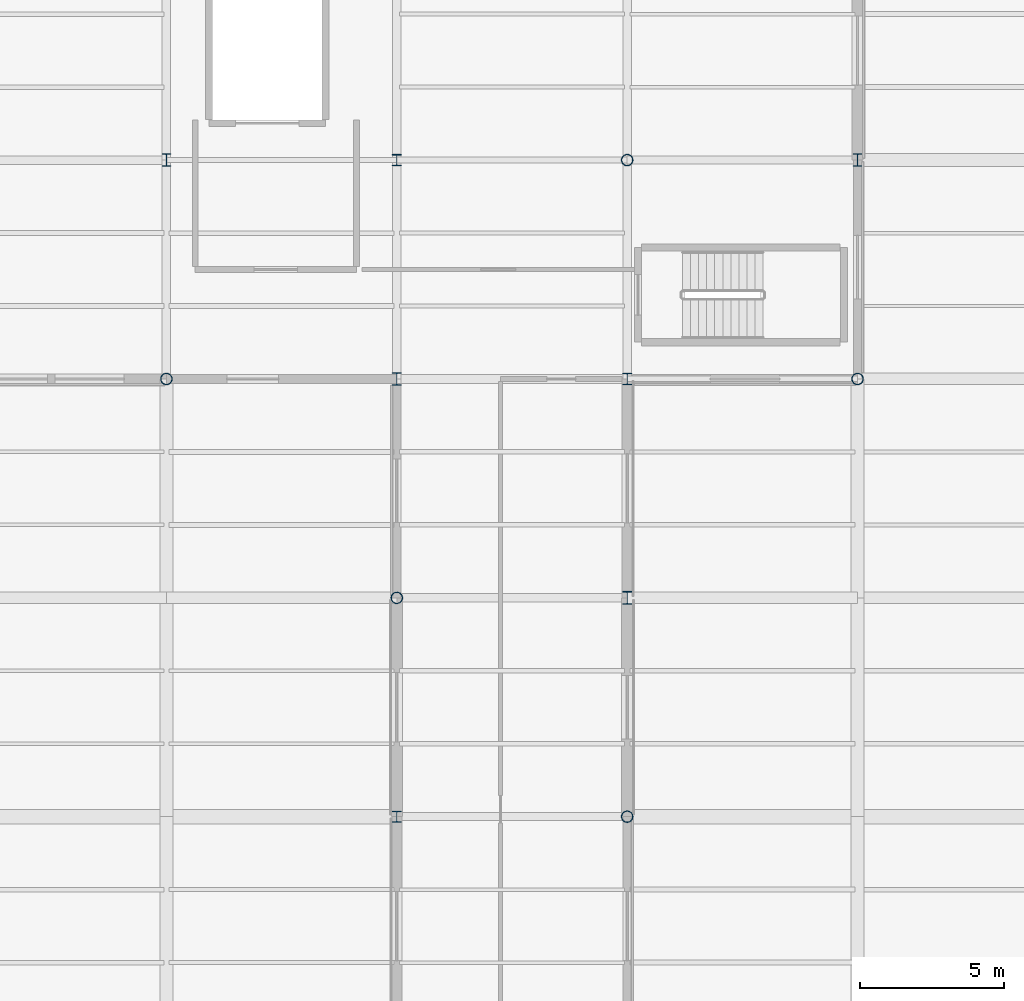
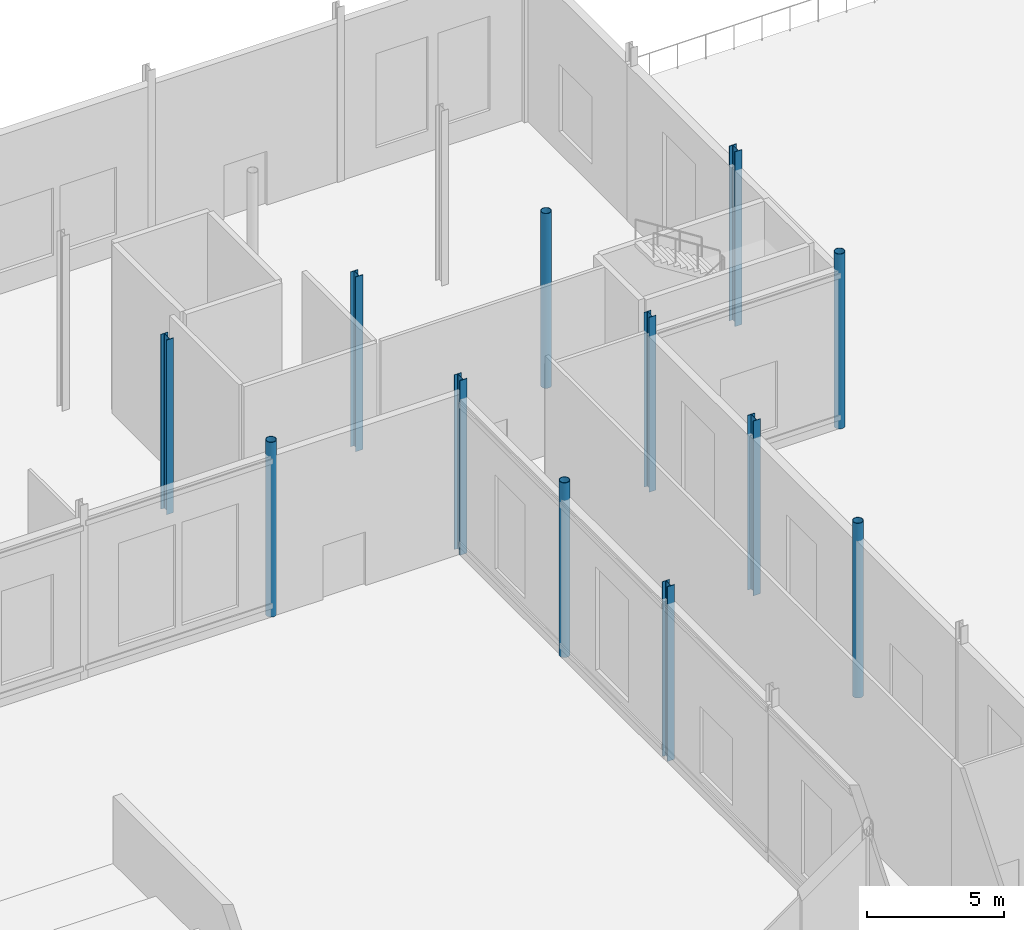
# One storey, part 11 of 176: 12 columns.
"""IFC4 building model written with IfcOpenShell, lengths in metres."""

from ifc_helpers import new_model, si_unit, direction, frame, origin, origin_2d, place, context, subcontext, project, spatial, hollow_circle, i_section, extrude, material, material_profile, profile_set, type_object, element, save


model = new_model("IFC4")

# Units and contexts
model_context = context("Model", 3, precision=1e-05, world=origin(), true_north=direction((0.0, 1.0)))
body_context = subcontext(model_context, "Body", "Model", "MODEL_VIEW")
ifc_project = project(units=[si_unit("LENGTHUNIT", "METRE"), si_unit("AREAUNIT", "SQUARE_METRE"), si_unit("VOLUMEUNIT", "CUBIC_METRE"), si_unit("PLANEANGLEUNIT", "RADIAN"), si_unit("MASSUNIT", "GRAM", prefix="KILO")], contexts=[model_context])

# Site, building, storey
site_placement = place(None, origin())
site = spatial("IfcSite", under=ifc_project, at=site_placement, CompositionType="ELEMENT")
building_placement = place(site_placement, origin())
building = spatial("IfcBuilding", under=site, at=building_placement, Name="Vekula Escarpment Museum", CompositionType="ELEMENT")
storey_placement = place(building_placement, origin())
storey = spatial("IfcBuildingStorey", under=building, at=storey_placement, Name="L01", CompositionType="ELEMENT", Elevation=0.0)

# Columns
ifc_material_1 = material(Name="Steel S355", Category="steel")
ifc_material_profile_1 = material_profile(ifc_material_1, hollow_circle(Radius=0.203125, WallThickness=0.02001953125, at=origin_2d()), Name="CHS 406.4x20")
ifc_profile_set_1 = profile_set([ifc_material_profile_1], Name="Steel S355")
column_type_1 = type_object("IfcColumnType", Name="COL-S-CHS406", PredefinedType="COLUMN", material=ifc_profile_set_1)
for number, where, z_axis, x_axis, name in (
    (1, (32.0, 113.199951171875, 0.0), (0.0, 0.0, 1.0), (1.0, 0.0, 0.0), "Column L01 (32.0,113.2)"),
    (2, (40.0, 105.60009765625, 0.0), (0.0, 0.0, 1.0), (1.0, 0.0, 0.0), "Column L01 (40.0,105.6)"),
    (3, (48.0, 98.0, 0.0), (0.0, 0.0, 1.0), (1.0, 0.0, 0.0), "Column L01 (48.0,98.0)"),
    (4, (48.0, 120.800048828125, 0.0), (0.0, 0.0, 1.0), (1.0, 0.0, 0.0), "Column L01 (48.0,120.8)"),
    (5, (56.0, 113.199951171875, 0.0), (0.0, 0.0, 1.0), (1.0, 0.0, 0.0), "Column L01 (56.0,113.2)"),
):
    element("IfcColumn", number, at=place(storey_placement, frame(where, z_axis=z_axis, x_axis=x_axis)), inside=storey, type_object=column_type_1, Name=name, PredefinedType="COLUMN", context=body_context, shape_type="SweptSolid", body=[
        extrude(hollow_circle(Radius=0.203125, WallThickness=0.02001953125, at=origin_2d()), origin(), (0.0, 0.0, 1.0), 7.800048828125),
    ])
ifc_material_2 = material(Name="Steel S355", Category="steel")
ifc_material_profile_2 = material_profile(ifc_material_2, i_section(OverallWidth=0.300048828125, OverallDepth=0.389892578125, WebThickness=0.010986328125, FlangeThickness=0.01904296875, FilletRadius=0.027099609375, at=origin_2d()), Name="HEA 400")
ifc_profile_set_2 = profile_set([ifc_material_profile_2], Name="Steel S355")
column_type_2 = type_object("IfcColumnType", Name="COL-S-HEA400", PredefinedType="COLUMN", material=ifc_profile_set_2)
for number, where, z_axis, x_axis, name in (
    (6, (40.0, 98.0, 0.0), (0.0, 0.0, 1.0), (1.0, 0.0, 0.0), "Column L01 (40.0,98.0)"),
    (7, (40.0, 120.800048828125, 0.0), (0.0, 0.0, 1.0), (1.0, 0.0, 0.0), "Column L01 (40.0,120.8)"),
    (8, (48.0, 113.199951171875, 0.0), (0.0, 0.0, 1.0), (1.0, 0.0, 0.0), "Column L01 (48.0,113.2)"),
):
    element("IfcColumn", number, at=place(storey_placement, frame(where, z_axis=z_axis, x_axis=x_axis)), inside=storey, type_object=column_type_2, Name=name, PredefinedType="COLUMN", context=body_context, shape_type="SweptSolid", body=[
        extrude(i_section(OverallWidth=0.300048828125, OverallDepth=0.389892578125, WebThickness=0.010986328125, FlangeThickness=0.01904296875, FilletRadius=0.027099609375, at=origin_2d()), origin(), (0.0, 0.0, 1.0), 7.800048828125),
    ])
ifc_material_3 = material(Name="Steel S355", Category="steel")
ifc_material_profile_3 = material_profile(ifc_material_3, i_section(OverallWidth=0.300048828125, OverallDepth=0.43994140625, WebThickness=0.011474609375, FlangeThickness=0.02099609375, FilletRadius=0.027099609375, at=origin_2d()), Name="HEA 450")
ifc_profile_set_3 = profile_set([ifc_material_profile_3], Name="Steel S355")
column_type_3 = type_object("IfcColumnType", Name="COL-S-HEA450", PredefinedType="COLUMN", material=ifc_profile_set_3)
for number, where, z_axis, x_axis, name in (
    (9, (32.0, 120.800048828125, 0.0), (0.0, 0.0, 1.0), (1.0, 0.0, 0.0), "Column L01 (32.0,120.8)"),
    (10, (40.0, 113.199951171875, 0.0), (0.0, 0.0, 1.0), (1.0, 0.0, 0.0), "Column L01 (40.0,113.2)"),
    (11, (48.0, 105.60009765625, 0.0), (0.0, 0.0, 1.0), (1.0, 0.0, 0.0), "Column L01 (48.0,105.6)"),
    (12, (56.0, 120.800048828125, 0.0), (0.0, 0.0, 1.0), (1.0, 0.0, 0.0), "Column L01 (56.0,120.8)"),
):
    element("IfcColumn", number, at=place(storey_placement, frame(where, z_axis=z_axis, x_axis=x_axis)), inside=storey, type_object=column_type_3, Name=name, PredefinedType="COLUMN", context=body_context, shape_type="SweptSolid", body=[
        extrude(i_section(OverallWidth=0.300048828125, OverallDepth=0.43994140625, WebThickness=0.011474609375, FlangeThickness=0.02099609375, FilletRadius=0.027099609375, at=origin_2d()), origin(), (0.0, 0.0, 1.0), 7.800048828125),
    ])

save(model, "model.ifc")
